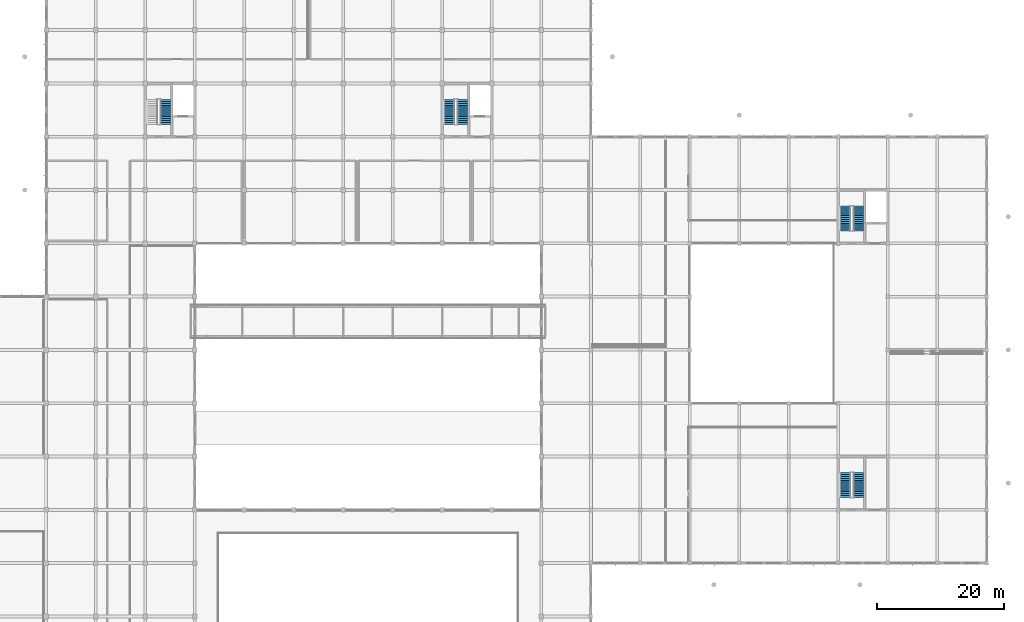
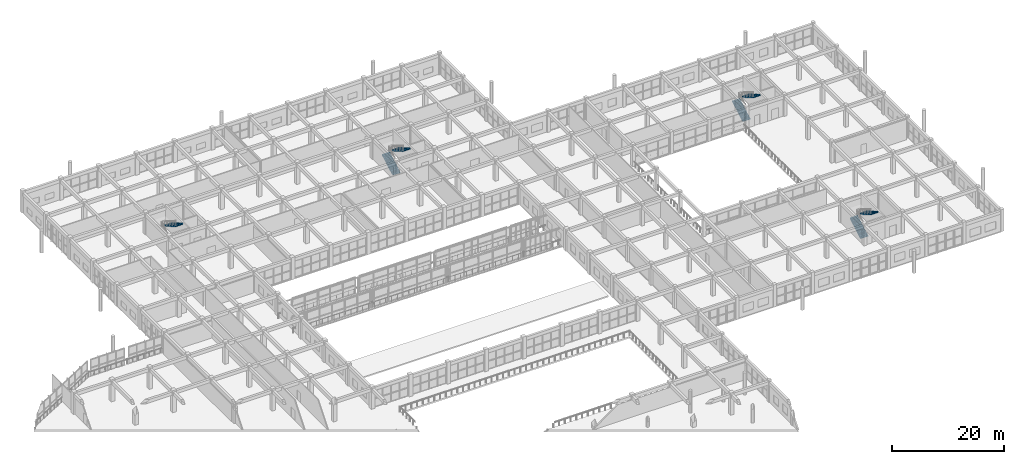
# One storey, part 160 of 167: 7 stair flights, 4 elements without a shape of their own.
"""IFC4 building model written with IfcOpenShell, lengths in metres."""

from ifc_helpers import new_model, si_unit, direction, frame, origin, place, context, subcontext, project, spatial, polyline, outline, extrude, material, type_object, element, aggregate, save


model = new_model("IFC4")

# Units and contexts
model_context = context("Model", 3, precision=1e-05, world=origin(), true_north=direction((0.0, 1.0)))
body_context = subcontext(model_context, "Body", "Model", "MODEL_VIEW")
ifc_project = project(units=[si_unit("LENGTHUNIT", "METRE"), si_unit("AREAUNIT", "SQUARE_METRE"), si_unit("VOLUMEUNIT", "CUBIC_METRE"), si_unit("PLANEANGLEUNIT", "RADIAN"), si_unit("MASSUNIT", "GRAM", prefix="KILO")], contexts=[model_context])

# Site, building, storey
site_placement = place(None, origin())
site = spatial("IfcSite", under=ifc_project, at=site_placement, CompositionType="ELEMENT")
building_placement = place(site_placement, origin())
building = spatial("IfcBuilding", under=site, at=building_placement, Name="Zizhar Promenade General Hospital", CompositionType="ELEMENT")
storey_placement = place(building_placement, frame((0.0, 0.0, 9.60009765625)))
storey = spatial("IfcBuildingStorey", under=building, at=storey_placement, Name="L02", CompositionType="ELEMENT", Elevation=9.60009765625)

# Stair, stair flight
ifc_material_1 = material(Name="Concrete C35/45", Category="concrete")
stair_type = type_object("IfcStairType", Name="STR-DOG-480", PredefinedType="HALF_TURN_STAIR", material=ifc_material_1)
stair_1_placement = place(storey_placement, origin())
stair_1 = element("IfcStair", 1, at=stair_1_placement, inside=storey, type_object=stair_type, Name="Exit Stair ST-06 (L02 to L03)", PredefinedType="HALF_TURN_STAIR")
ifc_material_2 = material(Name="Concrete C35/45", Category="concrete")
stair_flight_type = type_object("IfcStairFlightType", Name="SFL-DOG-480", PredefinedType="STRAIGHT", material=ifc_material_2)
stair_flight_1_placement = place(storey_placement, frame((65.590087890625, 115.050048828125, 2.39990234375), z_axis=(0.0, 0.0, 1.0), x_axis=(0.0, -1.0, 0.0)))
stair_flight_1 = element("IfcStairFlight", 2, at=stair_flight_1_placement, type_object=stair_flight_type, Name="ST-06A flight 2", NumberOfRisers=14, NumberOfTreads=13, PredefinedType="STRAIGHT", RiserHeight=0.171429, TreadLength=0.3, context=body_context, shape_type="SweptSolid", body=[
    extrude(outline(polyline([(0.0, 0.0), (0.0, 0.17138671875), (0.300048828125, 0.17138671875), (0.300048828125, 0.3427734375), (0.60009765625, 0.3427734375), (0.60009765625, 0.514404296875), (0.89990234375, 0.514404296875), (0.89990234375, 0.685791015625), (1.199951171875, 0.685791015625), (1.199951171875, 0.857177734375), (1.5, 0.857177734375), (1.5, 1.028564453125), (1.800048828125, 1.028564453125), (1.800048828125, 1.199951171875), (2.10009765625, 1.199951171875), (2.10009765625, 1.371337890625), (2.39990234375, 1.371337890625), (2.39990234375, 1.54296875), (2.699951171875, 1.54296875), (2.699951171875, 1.71435546875), (3.0, 1.71435546875), (3.0, 1.8857421875), (3.300048828125, 1.8857421875), (3.300048828125, 2.05712890625), (3.60009765625, 2.05712890625), (3.60009765625, 2.228515625), (3.89990234375, 2.228515625), (3.89990234375, 2.39990234375), (3.89990234375, 2.021240234375), (0.362548828125, 0.0), (0.0, 0.0)])), frame((0.0, 0.780029296875, 0.0), z_axis=(0.0, -1.0, 0.0), x_axis=(1.0, 0.0, 0.0)), (0.0, 0.0, 1.0), 1.56005859375),
])
aggregate(stair_1, [stair_flight_1])

# Stair, stair flights
stair_2_placement = place(storey_placement, origin())
stair_2 = element("IfcStair", 3, at=stair_2_placement, inside=storey, type_object=stair_type, Name="Exit Stair ST-07 (L02 to L03)", PredefinedType="HALF_TURN_STAIR")
stair_flight_2_placement = place(storey_placement, frame((110.35009765625, 111.14990234375, 0.0), z_axis=(0.0, 0.0, 1.0), x_axis=(0.0, 1.0, 0.0)))
stair_flight_2 = element("IfcStairFlight", 4, at=stair_flight_2_placement, type_object=stair_flight_type, Name="ST-07A flight 1", NumberOfRisers=14, NumberOfTreads=13, PredefinedType="STRAIGHT", RiserHeight=0.171429, TreadLength=0.3, context=body_context, shape_type="SweptSolid", body=[
    extrude(outline(polyline([(0.0, 0.0), (0.0, 0.17138671875), (0.300048828125, 0.17138671875), (0.300048828125, 0.3427734375), (0.60009765625, 0.3427734375), (0.60009765625, 0.514404296875), (0.89990234375, 0.514404296875), (0.89990234375, 0.685791015625), (1.199951171875, 0.685791015625), (1.199951171875, 0.857177734375), (1.5, 0.857177734375), (1.5, 1.028564453125), (1.800048828125, 1.028564453125), (1.800048828125, 1.199951171875), (2.10009765625, 1.199951171875), (2.10009765625, 1.371337890625), (2.39990234375, 1.371337890625), (2.39990234375, 1.54296875), (2.699951171875, 1.54296875), (2.699951171875, 1.71435546875), (3.0, 1.71435546875), (3.0, 1.8857421875), (3.300048828125, 1.8857421875), (3.300048828125, 2.05712890625), (3.60009765625, 2.05712890625), (3.60009765625, 2.228515625), (3.89990234375, 2.228515625), (3.89990234375, 2.39990234375), (3.89990234375, 2.021240234375), (0.362548828125, 0.0), (0.0, 0.0)])), frame((0.0, 0.780029296875, 0.0), z_axis=(0.0, -1.0, 0.0), x_axis=(1.0, 0.0, 0.0)), (0.0, 0.0, 1.0), 1.56005859375),
])
stair_flight_3_placement = place(storey_placement, frame((112.389892578125, 115.050048828125, 2.39990234375), z_axis=(0.0, 0.0, 1.0), x_axis=(0.0, -1.0, 0.0)))
stair_flight_3 = element("IfcStairFlight", 5, at=stair_flight_3_placement, type_object=stair_flight_type, Name="ST-07A flight 2", NumberOfRisers=14, NumberOfTreads=13, PredefinedType="STRAIGHT", RiserHeight=0.171429, TreadLength=0.3, context=body_context, shape_type="SweptSolid", body=[
    extrude(outline(polyline([(0.0, 0.0), (0.0, 0.17138671875), (0.300048828125, 0.17138671875), (0.300048828125, 0.3427734375), (0.60009765625, 0.3427734375), (0.60009765625, 0.514404296875), (0.89990234375, 0.514404296875), (0.89990234375, 0.685791015625), (1.199951171875, 0.685791015625), (1.199951171875, 0.857177734375), (1.5, 0.857177734375), (1.5, 1.028564453125), (1.800048828125, 1.028564453125), (1.800048828125, 1.199951171875), (2.10009765625, 1.199951171875), (2.10009765625, 1.371337890625), (2.39990234375, 1.371337890625), (2.39990234375, 1.54296875), (2.699951171875, 1.54296875), (2.699951171875, 1.71435546875), (3.0, 1.71435546875), (3.0, 1.8857421875), (3.300048828125, 1.8857421875), (3.300048828125, 2.05712890625), (3.60009765625, 2.05712890625), (3.60009765625, 2.228515625), (3.89990234375, 2.228515625), (3.89990234375, 2.39990234375), (3.89990234375, 2.021240234375), (0.362548828125, 0.0), (0.0, 0.0)])), frame((0.0, 0.780029296875, 0.0), z_axis=(0.0, -1.0, 0.0), x_axis=(1.0, 0.0, 0.0)), (0.0, 0.0, 1.0), 1.56005859375),
])
aggregate(stair_2, [stair_flight_2, stair_flight_3])

stair_3_placement = place(storey_placement, origin())
stair_3 = element("IfcStair", 6, at=stair_3_placement, inside=storey, type_object=stair_type, Name="Exit Stair ST-08 (L02 to L03)", PredefinedType="HALF_TURN_STAIR")
stair_flight_4_placement = place(storey_placement, frame((172.75, 94.35009765625, 0.0), z_axis=(0.0, 0.0, 1.0), x_axis=(0.0, 1.0, 0.0)))
stair_flight_4 = element("IfcStairFlight", 7, at=stair_flight_4_placement, type_object=stair_flight_type, Name="ST-08A flight 1", NumberOfRisers=14, NumberOfTreads=13, PredefinedType="STRAIGHT", RiserHeight=0.171429, TreadLength=0.3, context=body_context, shape_type="SweptSolid", body=[
    extrude(outline(polyline([(0.0, 0.0), (0.0, 0.17138671875), (0.300048828125, 0.17138671875), (0.300048828125, 0.3427734375), (0.60009765625, 0.3427734375), (0.60009765625, 0.514404296875), (0.89990234375, 0.514404296875), (0.89990234375, 0.685791015625), (1.199951171875, 0.685791015625), (1.199951171875, 0.857177734375), (1.5, 0.857177734375), (1.5, 1.028564453125), (1.800048828125, 1.028564453125), (1.800048828125, 1.199951171875), (2.10009765625, 1.199951171875), (2.10009765625, 1.371337890625), (2.39990234375, 1.371337890625), (2.39990234375, 1.54296875), (2.699951171875, 1.54296875), (2.699951171875, 1.71435546875), (3.0, 1.71435546875), (3.0, 1.8857421875), (3.300048828125, 1.8857421875), (3.300048828125, 2.05712890625), (3.60009765625, 2.05712890625), (3.60009765625, 2.228515625), (3.89990234375, 2.228515625), (3.89990234375, 2.39990234375), (3.89990234375, 2.021240234375), (0.362548828125, 0.0), (0.0, 0.0)])), frame((0.0, 0.780029296875, 0.0), z_axis=(0.0, -1.0, 0.0), x_axis=(1.0, 0.0, 0.0)), (0.0, 0.0, 1.0), 1.56005859375),
])
stair_flight_5_placement = place(storey_placement, frame((174.7900390625, 98.25, 2.39990234375), z_axis=(0.0, 0.0, 1.0), x_axis=(0.0, -1.0, 0.0)))
stair_flight_5 = element("IfcStairFlight", 8, at=stair_flight_5_placement, type_object=stair_flight_type, Name="ST-08A flight 2", NumberOfRisers=14, NumberOfTreads=13, PredefinedType="STRAIGHT", RiserHeight=0.171429, TreadLength=0.3, context=body_context, shape_type="SweptSolid", body=[
    extrude(outline(polyline([(0.0, 0.0), (0.0, 0.17138671875), (0.300048828125, 0.17138671875), (0.300048828125, 0.3427734375), (0.60009765625, 0.3427734375), (0.60009765625, 0.514404296875), (0.89990234375, 0.514404296875), (0.89990234375, 0.685791015625), (1.199951171875, 0.685791015625), (1.199951171875, 0.857177734375), (1.5, 0.857177734375), (1.5, 1.028564453125), (1.800048828125, 1.028564453125), (1.800048828125, 1.199951171875), (2.10009765625, 1.199951171875), (2.10009765625, 1.371337890625), (2.39990234375, 1.371337890625), (2.39990234375, 1.54296875), (2.699951171875, 1.54296875), (2.699951171875, 1.71435546875), (3.0, 1.71435546875), (3.0, 1.8857421875), (3.300048828125, 1.8857421875), (3.300048828125, 2.05712890625), (3.60009765625, 2.05712890625), (3.60009765625, 2.228515625), (3.89990234375, 2.228515625), (3.89990234375, 2.39990234375), (3.89990234375, 2.021240234375), (0.362548828125, 0.0), (0.0, 0.0)])), frame((0.0, 0.780029296875, 0.0), z_axis=(0.0, -1.0, 0.0), x_axis=(1.0, 0.0, 0.0)), (0.0, 0.0, 1.0), 1.56005859375),
])
aggregate(stair_3, [stair_flight_4, stair_flight_5])

stair_4_placement = place(storey_placement, origin())
stair_4 = element("IfcStair", 9, at=stair_4_placement, inside=storey, type_object=stair_type, Name="Exit Stair ST-09 (L02 to L03)", PredefinedType="HALF_TURN_STAIR")
stair_flight_6_placement = place(storey_placement, frame((172.75, 52.35009765625, 0.0), z_axis=(0.0, 0.0, 1.0), x_axis=(0.0, 1.0, 0.0)))
stair_flight_6 = element("IfcStairFlight", 10, at=stair_flight_6_placement, type_object=stair_flight_type, Name="ST-09A flight 1", NumberOfRisers=14, NumberOfTreads=13, PredefinedType="STRAIGHT", RiserHeight=0.171429, TreadLength=0.3, context=body_context, shape_type="SweptSolid", body=[
    extrude(outline(polyline([(0.0, 0.0), (0.0, 0.17138671875), (0.300048828125, 0.17138671875), (0.300048828125, 0.3427734375), (0.60009765625, 0.3427734375), (0.60009765625, 0.514404296875), (0.89990234375, 0.514404296875), (0.89990234375, 0.685791015625), (1.199951171875, 0.685791015625), (1.199951171875, 0.857177734375), (1.5, 0.857177734375), (1.5, 1.028564453125), (1.800048828125, 1.028564453125), (1.800048828125, 1.199951171875), (2.10009765625, 1.199951171875), (2.10009765625, 1.371337890625), (2.39990234375, 1.371337890625), (2.39990234375, 1.54296875), (2.699951171875, 1.54296875), (2.699951171875, 1.71435546875), (3.0, 1.71435546875), (3.0, 1.8857421875), (3.300048828125, 1.8857421875), (3.300048828125, 2.05712890625), (3.60009765625, 2.05712890625), (3.60009765625, 2.228515625), (3.89990234375, 2.228515625), (3.89990234375, 2.39990234375), (3.89990234375, 2.021240234375), (0.362548828125, 0.0), (0.0, 0.0)])), frame((0.0, 0.780029296875, 0.0), z_axis=(0.0, -1.0, 0.0), x_axis=(1.0, 0.0, 0.0)), (0.0, 0.0, 1.0), 1.56005859375),
])
stair_flight_7_placement = place(storey_placement, frame((174.7900390625, 56.25, 2.39990234375), z_axis=(0.0, 0.0, 1.0), x_axis=(0.0, -1.0, 0.0)))
stair_flight_7 = element("IfcStairFlight", 11, at=stair_flight_7_placement, type_object=stair_flight_type, Name="ST-09A flight 2", NumberOfRisers=14, NumberOfTreads=13, PredefinedType="STRAIGHT", RiserHeight=0.171429, TreadLength=0.3, context=body_context, shape_type="SweptSolid", body=[
    extrude(outline(polyline([(0.0, 0.0), (0.0, 0.17138671875), (0.300048828125, 0.17138671875), (0.300048828125, 0.3427734375), (0.60009765625, 0.3427734375), (0.60009765625, 0.514404296875), (0.89990234375, 0.514404296875), (0.89990234375, 0.685791015625), (1.199951171875, 0.685791015625), (1.199951171875, 0.857177734375), (1.5, 0.857177734375), (1.5, 1.028564453125), (1.800048828125, 1.028564453125), (1.800048828125, 1.199951171875), (2.10009765625, 1.199951171875), (2.10009765625, 1.371337890625), (2.39990234375, 1.371337890625), (2.39990234375, 1.54296875), (2.699951171875, 1.54296875), (2.699951171875, 1.71435546875), (3.0, 1.71435546875), (3.0, 1.8857421875), (3.300048828125, 1.8857421875), (3.300048828125, 2.05712890625), (3.60009765625, 2.05712890625), (3.60009765625, 2.228515625), (3.89990234375, 2.228515625), (3.89990234375, 2.39990234375), (3.89990234375, 2.021240234375), (0.362548828125, 0.0), (0.0, 0.0)])), frame((0.0, 0.780029296875, 0.0), z_axis=(0.0, -1.0, 0.0), x_axis=(1.0, 0.0, 0.0)), (0.0, 0.0, 1.0), 1.56005859375),
])
aggregate(stair_4, [stair_flight_6, stair_flight_7])

save(model, "model.ifc")
